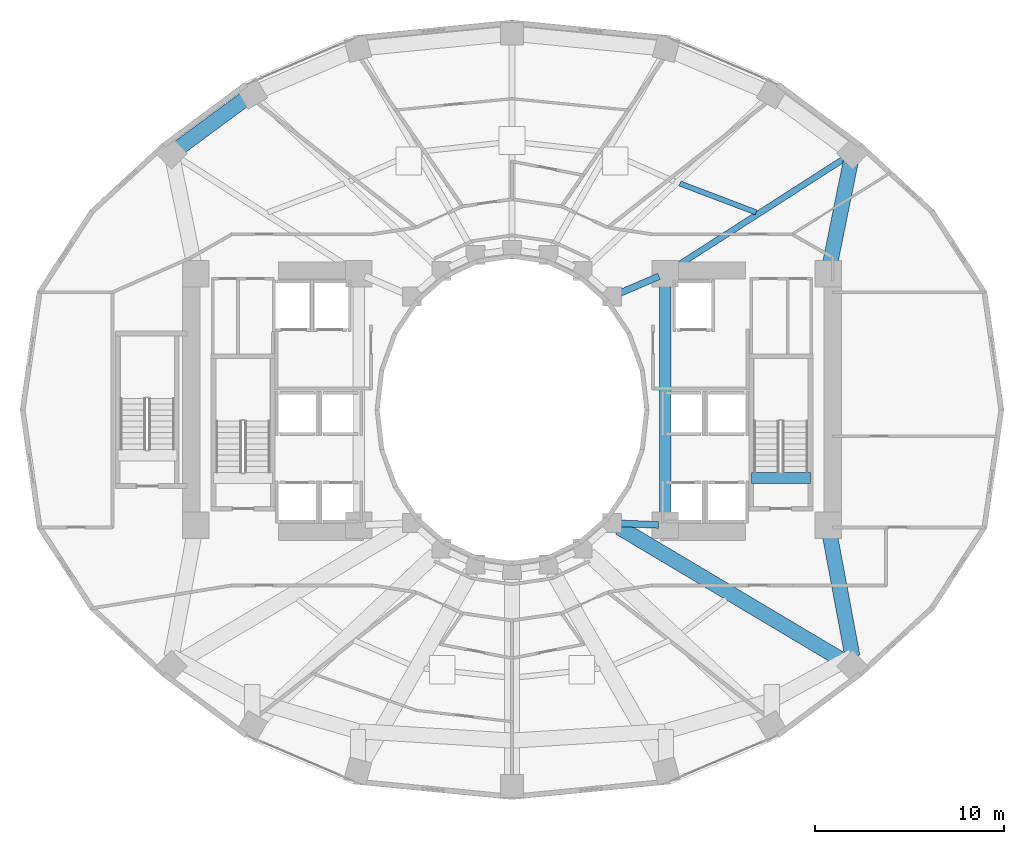
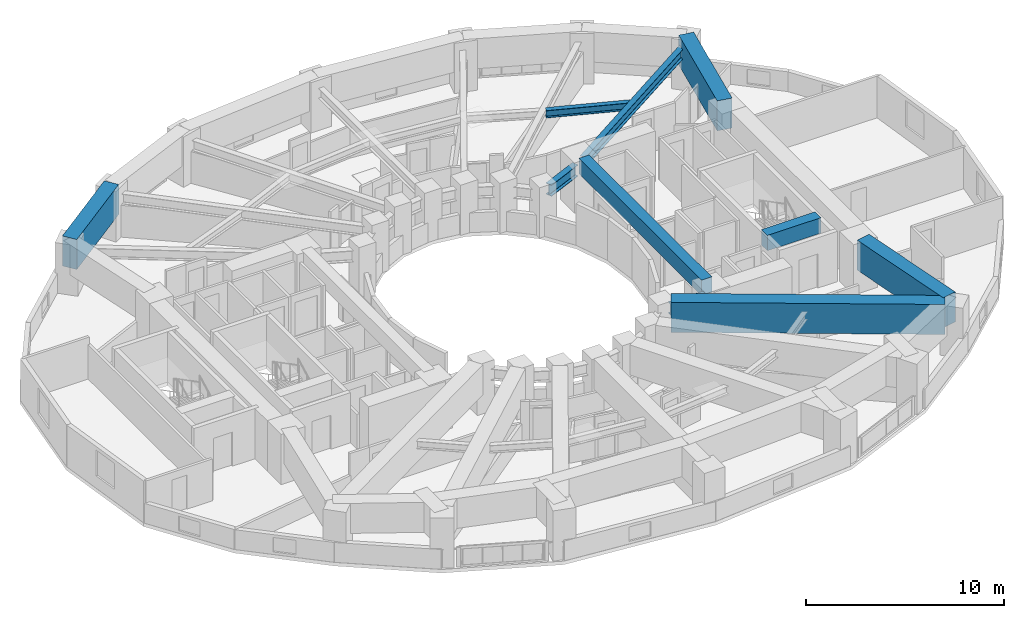
# One storey, part 5 of 16: 10 beams.
"""IFC4 building model written with IfcOpenShell, lengths in metres."""

from ifc_helpers import new_model, si_unit, direction, frame, origin, origin_2d, place, context, subcontext, project, spatial, rectangle, i_section, extrude, material, material_profile, profile_set, type_object, element, save


model = new_model("IFC4")

# Units and contexts
model_context = context("Model", 3, precision=1e-05, world=origin(), true_north=direction((0.0, 1.0)))
body_context = subcontext(model_context, "Body", "Model", "MODEL_VIEW")
ifc_project = project(units=[si_unit("LENGTHUNIT", "METRE"), si_unit("AREAUNIT", "SQUARE_METRE"), si_unit("VOLUMEUNIT", "CUBIC_METRE"), si_unit("PLANEANGLEUNIT", "RADIAN"), si_unit("MASSUNIT", "GRAM", prefix="KILO")], contexts=[model_context])

# Site, building, storey
site_placement = place(None, origin())
site = spatial("IfcSite", under=ifc_project, at=site_placement, CompositionType="ELEMENT")
building_placement = place(site_placement, origin())
building = spatial("IfcBuilding", under=site, at=building_placement, Name="Solvane Sanctuary Tower", CompositionType="ELEMENT")
storey_placement = place(building_placement, frame((0.0, 0.0, 33.800048828125)))
storey = spatial("IfcBuildingStorey", under=building, at=storey_placement, Name="L09", CompositionType="ELEMENT", Elevation=33.800048828125)

# Beams
ifc_material_1 = material(Name="Concrete C70/85", Category="concrete")
ifc_material_profile_1 = material_profile(ifc_material_1, rectangle(XDim=0.60009765625, YDim=0.949951171875, at=origin_2d()), Name="RC600X950")
ifc_profile_set_1 = profile_set([ifc_material_profile_1], Name="Concrete C70/85")
beam_type_1 = type_object("IfcBeamType", Name="Beam B-COUPLE RC600X950", PredefinedType="LINTEL", material=ifc_profile_set_1)
beam_1_placement = place(storey_placement, frame((40.10009765625, 17.35009765625, 2.625), z_axis=(0.0, 1.0, 0.0), x_axis=(-1.0, 0.0, 0.0)))
element("IfcBeam", 1, at=beam_1_placement, inside=storey, type_object=beam_type_1, Name="L09 East Core Coupling Lintel", PredefinedType="LINTEL", context=body_context, shape_type="SweptSolid", body=[
    extrude(rectangle(XDim=0.60009765625, YDim=0.949951171875, at=origin_2d()), origin(), (0.0, 0.0, 1.0), 12.39990234375),
])
beam_2_placement = place(storey_placement, frame((44.64990234375, 19.399169921875, 2.625), z_axis=(1.0, 0.0, 0.0), x_axis=(0.0, 1.0, 0.0)))
element("IfcBeam", 2, at=beam_2_placement, inside=storey, type_object=beam_type_1, Name="L09 ST-2 Stair Floor Landing Trimmer", PredefinedType="LINTEL", context=body_context, shape_type="SweptSolid", body=[
    extrude(rectangle(XDim=0.60009765625, YDim=0.949951171875, at=origin_2d()), origin(), (0.0, 0.0, 1.0), 3.1201171875),
])
ifc_material_2 = material(Name="Steel ASTM A992 Grade 50", Category="steel")
ifc_material_profile_2 = material_profile(ifc_material_2, i_section(OverallWidth=0.323974609375, OverallDepth=0.611083984375, WebThickness=0.0126953125, FlangeThickness=0.01904296875, FilletRadius=0.01611328125, at=origin_2d()), Name="W24X104")
ifc_profile_set_2 = profile_set([ifc_material_profile_2], Name="Steel ASTM A992 Grade 50")
beam_type_2 = type_object("IfcBeamType", Name="Beam B-RAD-Z1 W24X104", PredefinedType="BEAM", material=ifc_profile_set_2)
beam_3_placement = place(storey_placement, frame((40.40283203125, 30.39453125, 2.29248046875), z_axis=(0.841383207998, 0.540438985733, 0.0), x_axis=(-0.540438985733, 0.841383207998, 0.0)))
element("IfcBeam", 3, at=beam_3_placement, inside=storey, type_object=beam_type_2, Name="L09 Radial Composite Floor Beam 01", PredefinedType="BEAM", context=body_context, shape_type="SweptSolid", body=[
    extrude(i_section(OverallWidth=0.323974609375, OverallDepth=0.611083984375, WebThickness=0.0126953125, FlangeThickness=0.01904296875, FilletRadius=0.01611328125, at=origin_2d()), origin(), (0.0, 0.0, 1.0), 11.116455078125),
])
ifc_material_profile_3 = material_profile(ifc_material_2, i_section(OverallWidth=0.35498046875, OverallDepth=0.695068359375, WebThickness=0.015380859375, FlangeThickness=0.02490234375, FilletRadius=0.01806640625, at=origin_2d()), Name="W27X146")
ifc_profile_set_3 = profile_set([ifc_material_profile_3], Name="Steel ASTM A992 Grade 50")
beam_type_3 = type_object("IfcBeamType", Name="Beam B-RING-IN1 W27X146", PredefinedType="BEAM", material=ifc_profile_set_3)
beam_4_placement = place(storey_placement, frame((37.70654296875, 29.168212890625, 2.25048828125), z_axis=(0.918277080365, 0.395938383687, 0.0), x_axis=(-0.395938383687, 0.918277080365, 0.0)))
element("IfcBeam", 4, at=beam_4_placement, inside=storey, type_object=beam_type_3, Name="L09 Inner Light-Well Ring Beam IC01-CE4", PredefinedType="BEAM", context=body_context, shape_type="SweptSolid", body=[
    extrude(i_section(OverallWidth=0.35498046875, OverallDepth=0.695068359375, WebThickness=0.015380859375, FlangeThickness=0.02490234375, FilletRadius=0.01806640625, at=origin_2d()), origin(), (0.0, 0.0, 1.0), 2.246337890625),
])
beam_5_placement = place(storey_placement, frame((37.74462890625, 16.998291015625, 2.25048828125), z_axis=(0.999130953379, -0.041681386726, 0.0), x_axis=(0.041681386726, 0.999130953379, 0.0)))
element("IfcBeam", 5, at=beam_5_placement, inside=storey, type_object=beam_type_3, Name="L09 Inner Light-Well Ring Beam IC14-CE1", PredefinedType="BEAM", context=body_context, shape_type="SweptSolid", body=[
    extrude(i_section(OverallWidth=0.35498046875, OverallDepth=0.695068359375, WebThickness=0.015380859375, FlangeThickness=0.02490234375, FilletRadius=0.01806640625, at=origin_2d()), origin(), (0.0, 0.0, 1.0), 1.997314453125),
])
ifc_material_profile_4 = material_profile(ifc_material_2, i_section(OverallWidth=0.280029296875, OverallDepth=0.462890625, WebThickness=0.0107421875, FlangeThickness=0.017333984375, FilletRadius=0.013916015625, at=origin_2d()), Name="W18X76")
ifc_profile_set_4 = profile_set([ifc_material_profile_4], Name="Steel ASTM A992 Grade 50")
beam_type_4 = type_object("IfcBeamType", Name="Beam B-SEC-JOIST W18X76", PredefinedType="JOIST", material=ifc_profile_set_4)
beam_6_placement = place(storey_placement, frame((40.87548828125, 34.959716796875, 2.366455078125), z_axis=(0.934930049376, -0.354832076867, 0.0), x_axis=(0.354832076867, 0.934930049376, 0.0)))
element("IfcBeam", 6, at=beam_6_placement, inside=storey, type_object=beam_type_4, Name="L09 Secondary Circumferential Joist 02-01", PredefinedType="JOIST", context=body_context, shape_type="SweptSolid", body=[
    extrude(i_section(OverallWidth=0.280029296875, OverallDepth=0.462890625, WebThickness=0.0107421875, FlangeThickness=0.017333984375, FilletRadius=0.013916015625, at=origin_2d()), origin(), (0.0, 0.0, 1.0), 4.3037109375),
])
ifc_material_profile_5 = material_profile(ifc_material_1, rectangle(XDim=0.800048828125, YDim=1.85009765625, at=origin_2d()), Name="RC800X1850")
ifc_profile_set_5 = profile_set([ifc_material_profile_5], Name="Concrete C70/85")
beam_type_5 = type_object("IfcBeamType", Name="Beam B-XFER-BLK RC800X1850", PredefinedType="BEAM", material=ifc_profile_set_5)
beam_7_placement = place(storey_placement, frame((37.6787109375, 16.777587890625, 2.175048828125), z_axis=(0.859229976907, -0.511589529588, 0.0), x_axis=(0.511589529588, 0.859229976907, 0.0)))
element("IfcBeam", 7, at=beam_7_placement, inside=storey, type_object=beam_type_5, Name="L09 Block-Shift Radial Transfer Girder 14A", PredefinedType="BEAM", context=body_context, shape_type="SweptSolid", body=[
    extrude(rectangle(XDim=0.800048828125, YDim=1.85009765625, at=origin_2d()), origin(), (0.0, 0.0, 1.0), 13.850341796875),
])
beam_8_placement = place(storey_placement, frame((14.00830078125, 36.5537109375, 2.175048828125), z_axis=(0.804316795513, 0.594200717313, 0.0), x_axis=(-0.594200717313, 0.804316795513, 0.0)))
element("IfcBeam", 8, at=beam_8_placement, inside=storey, type_object=beam_type_5, Name="L09 Perimeter Step Transfer Ring NTC07-NTC06", PredefinedType="BEAM", context=body_context, shape_type="SweptSolid", body=[
    extrude(rectangle(XDim=0.800048828125, YDim=1.85009765625, at=origin_2d()), origin(), (0.0, 0.0, 1.0), 5.302001953125),
])
beam_9_placement = place(storey_placement, frame((49.99169921875, 36.5537109375, 2.175048828125), z_axis=(-0.199220253501, -0.979954739054, 0.0), x_axis=(0.979954739054, -0.199220253501, 0.0)))
element("IfcBeam", 9, at=beam_9_placement, inside=storey, type_object=beam_type_5, Name="L09 Perimeter Step Transfer Ring NTC01-CE3", PredefinedType="BEAM", context=body_context, shape_type="SweptSolid", body=[
    extrude(rectangle(XDim=0.800048828125, YDim=1.85009765625, at=origin_2d()), origin(), (0.0, 0.0, 1.0), 6.123779296875),
])
beam_10_placement = place(storey_placement, frame((49.99169921875, 9.964599609375, 2.175048828125), z_axis=(-0.183103823442, 0.983093581426, 0.0), x_axis=(-0.983093581426, -0.183103823442, 0.0)))
element("IfcBeam", 10, at=beam_10_placement, inside=storey, type_object=beam_type_5, Name="L09 Perimeter Step Transfer Ring NTC14-CE2", PredefinedType="BEAM", context=body_context, shape_type="SweptSolid", body=[
    extrude(rectangle(XDim=0.800048828125, YDim=1.85009765625, at=origin_2d()), origin(), (0.0, 0.0, 1.0), 6.69482421875),
])

save(model, "model.ifc")
